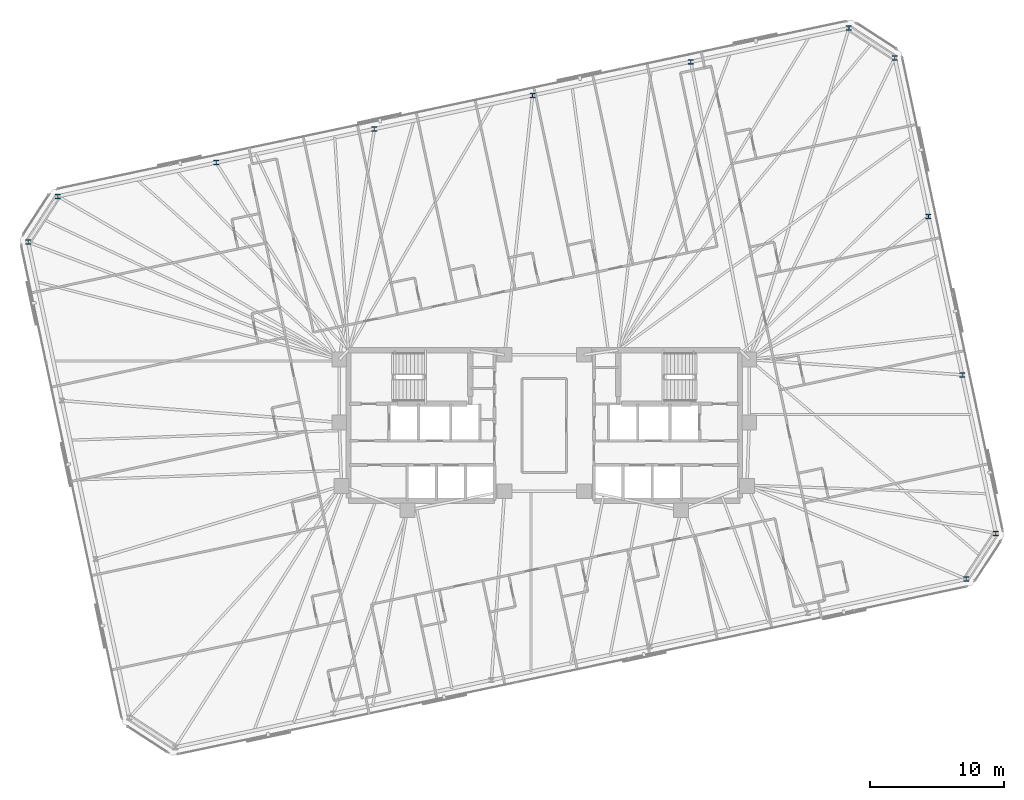
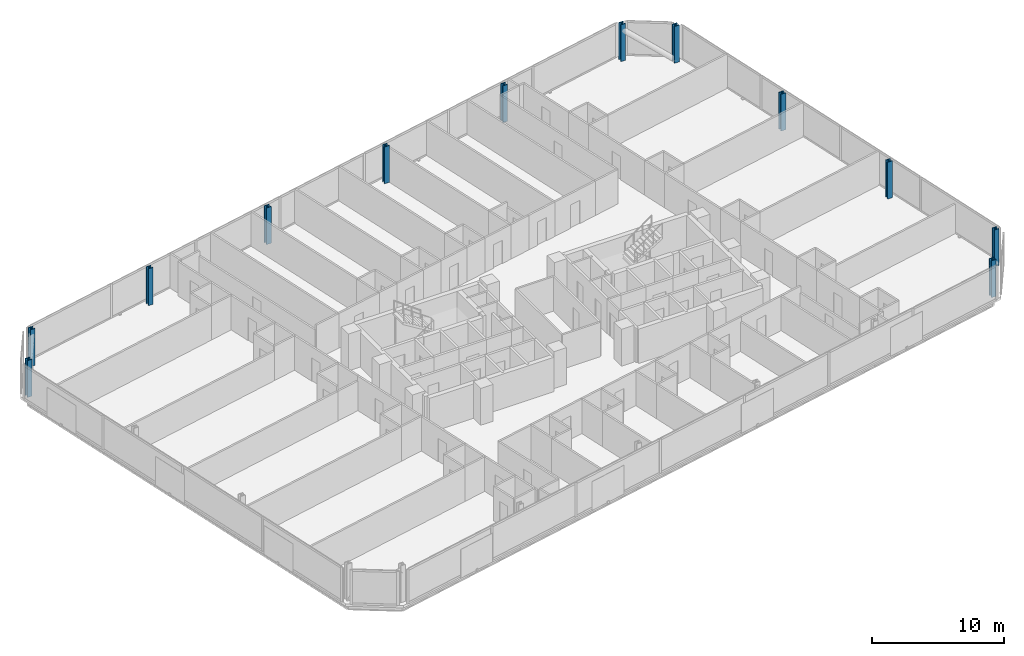
# One storey, part 5 of 21: 12 columns.
"""IFC4 building model written with IfcOpenShell, lengths in metres."""

from ifc_helpers import new_model, si_unit, direction, frame, origin, origin_2d, place, context, subcontext, project, spatial, i_section, extrude, material, material_profile, profile_set, type_object, element, save


model = new_model("IFC4")

# Units and contexts
model_context = context("Model", 3, precision=1e-05, world=origin(), true_north=direction((0.0, 1.0)))
body_context = subcontext(model_context, "Body", "Model", "MODEL_VIEW")
ifc_project = project(units=[si_unit("LENGTHUNIT", "METRE"), si_unit("AREAUNIT", "SQUARE_METRE"), si_unit("VOLUMEUNIT", "CUBIC_METRE"), si_unit("PLANEANGLEUNIT", "RADIAN"), si_unit("MASSUNIT", "GRAM", prefix="KILO")], contexts=[model_context])

# Site, building, storey
site_placement = place(None, origin())
site = spatial("IfcSite", under=ifc_project, at=site_placement, CompositionType="ELEMENT")
building_placement = place(site_placement, origin())
building = spatial("IfcBuilding", under=site, at=building_placement, Name="Menara Jurai Vektor", CompositionType="ELEMENT")
storey_placement = place(building_placement, frame((0.0, 0.0, 165.0)))
storey = spatial("IfcBuildingStorey", under=building, at=storey_placement, Name="L42", CompositionType="ELEMENT", Elevation=165.0)

# Columns
ifc_material = material(Name="Steel S460", Category="steel")
ifc_material_profile = material_profile(ifc_material, i_section(OverallWidth=0.408935546875, OverallDepth=0.3740234375, WebThickness=0.048095703125, FlangeThickness=0.076904296875, FilletRadius=0.014892578125, at=origin_2d()), Name="HD 400x634")
ifc_profile_set = profile_set([ifc_material_profile], Name="Steel S460")
column_type = type_object("IfcColumnType", Name="STR-EXO-BLK3", PredefinedType="COLUMN", material=ifc_profile_set)
for number, where, z_axis, x_axis, name in (
    (1, (31.376220703125, -11.438720703125, 0.0), (0.0, 0.0, 1.0), (1.0, 0.0, 0.0), "Exoskeleton Column BLK3-S6 L42"),
    (2, (33.588623046875, -8.031982421875, 0.0), (0.0, 0.0, 1.0), (1.0, 0.0, 0.0), "Exoskeleton Column BLK3-E1 L42"),
    (3, (31.082763671875, 3.75634765625, 0.0), (0.0, 0.0, 1.0), (1.0, 0.0, 0.0), "Exoskeleton Column BLK3-E2 L42"),
    (4, (28.5771484375, 15.544921875, 0.0), (0.0, 0.0, 1.0), (1.0, 0.0, 0.0), "Exoskeleton Column BLK3-E3 L42"),
    (5, (26.0712890625, 27.33349609375, 0.0), (0.0, 0.0, 1.0), (1.0, 0.0, 0.0), "Exoskeleton Column BLK3-E4 L42"),
    (6, (22.664794921875, 29.545654296875, 0.0), (0.0, 0.0, 1.0), (1.0, 0.0, 0.0), "Exoskeleton Column BLK3-N1 L42"),
    (7, (10.896484375, 27.044189453125, 0.0), (0.0, 0.0, 1.0), (1.0, 0.0, 0.0), "Exoskeleton Column BLK3-N2 L42"),
    (8, (-0.87158203125, 24.54296875, 0.0), (0.0, 0.0, 1.0), (1.0, 0.0, 0.0), "Exoskeleton Column BLK3-N3 L42"),
    (9, (-12.639892578125, 22.04150390625, 0.0), (0.0, 0.0, 1.0), (1.0, 0.0, 0.0), "Exoskeleton Column BLK3-N4 L42"),
    (10, (-24.407958984375, 19.5400390625, 0.0), (0.0, 0.0, 1.0), (1.0, 0.0, 0.0), "Exoskeleton Column BLK3-N5 L42"),
    (11, (-36.17626953125, 17.03857421875, 0.0), (0.0, 0.0, 1.0), (1.0, 0.0, 0.0), "Exoskeleton Column BLK3-N6 L42"),
    (12, (-38.388671875, 13.632080078125, 0.0), (0.0, 0.0, 1.0), (1.0, 0.0, 0.0), "Exoskeleton Column BLK3-W1 L42"),
):
    element("IfcColumn", number, at=place(storey_placement, frame(where, z_axis=z_axis, x_axis=x_axis)), inside=storey, type_object=column_type, Name=name, PredefinedType="COLUMN", context=body_context, shape_type="SweptSolid", body=[
        extrude(i_section(OverallWidth=0.408935546875, OverallDepth=0.3740234375, WebThickness=0.048095703125, FlangeThickness=0.076904296875, FilletRadius=0.014892578125, at=origin_2d()), origin(), (0.0, 0.0, 1.0), 3.39990234375),
    ])

save(model, "model.ifc")
